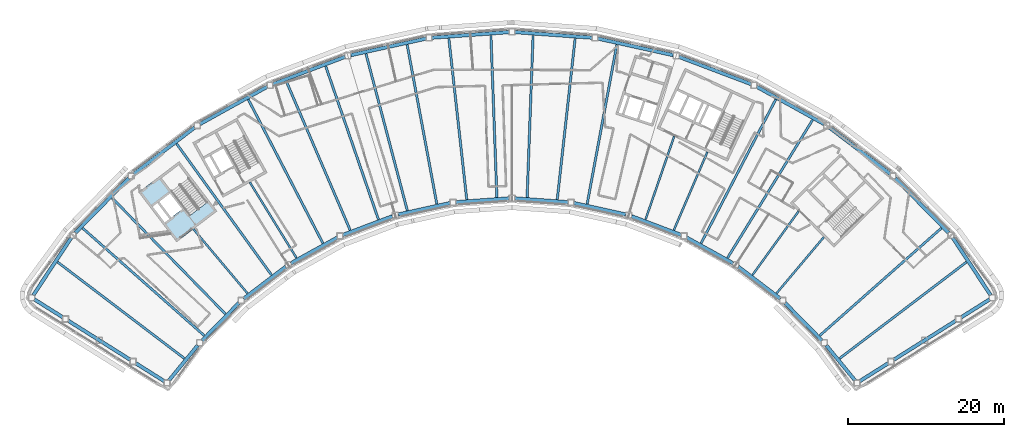
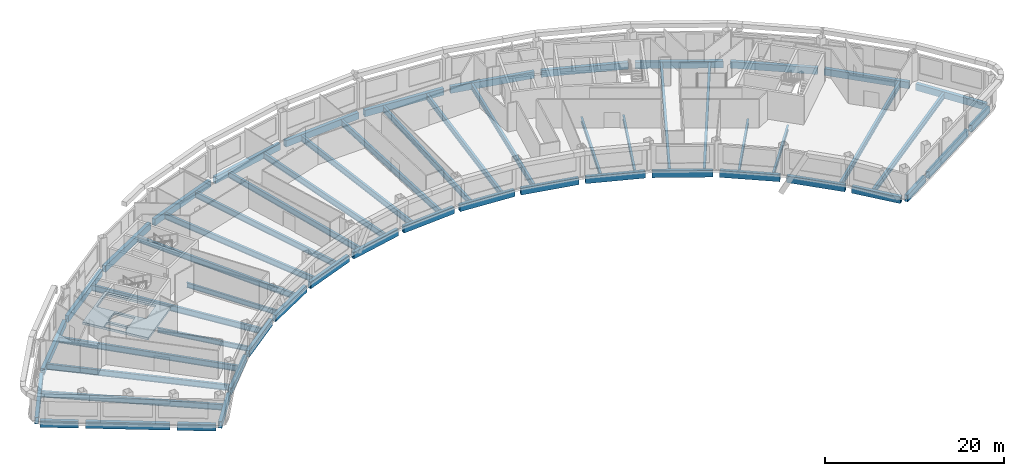
# One storey, part 3 of 13: 58 beams, 1 slab.
"""IFC4 building model written with IfcOpenShell, lengths in metres."""

from ifc_helpers import new_model, si_unit, direction, frame, origin, origin_2d, place, context, subcontext, project, spatial, polyline, hollow_rectangle, i_section, outline, extrude, material, layer, layer_set, material_profile, profile_set, type_object, element, save


model = new_model("IFC4")

# Units and contexts
model_context = context("Model", 3, precision=1e-05, world=origin(), true_north=direction((0.0, 1.0)))
body_context = subcontext(model_context, "Body", "Model", "MODEL_VIEW")
ifc_project = project(units=[si_unit("LENGTHUNIT", "METRE"), si_unit("AREAUNIT", "SQUARE_METRE"), si_unit("VOLUMEUNIT", "CUBIC_METRE"), si_unit("PLANEANGLEUNIT", "RADIAN"), si_unit("MASSUNIT", "GRAM", prefix="KILO")], contexts=[model_context])

# Site, building, storey
site_placement = place(None, origin())
site = spatial("IfcSite", under=ifc_project, at=site_placement, CompositionType="ELEMENT")
building_placement = place(site_placement, origin())
building = spatial("IfcBuilding", under=site, at=building_placement, Name="Tuul Gate Civic Tower", CompositionType="ELEMENT")
storey_placement = place(building_placement, frame((0.0, 0.0, 290.0)))
storey = spatial("IfcBuildingStorey", under=building, at=storey_placement, Name="Level 65", CompositionType="ELEMENT", Elevation=290.0)

# Beams
ifc_material_1 = material(Name="Steel S355", Category="steel")
ifc_material_profile_1 = material_profile(ifc_material_1, i_section(OverallWidth=0.25, OverallDepth=0.64990234375, WebThickness=0.011962890625, FlangeThickness=0.02001953125, at=origin_2d()), Name="PG650x250x12x20")
ifc_profile_set_1 = profile_set([ifc_material_profile_1], Name="Steel S355")
beam_type_1 = type_object("IfcBeamType", Name="STR-FLOOR BEAM-PG650x250x12x20", PredefinedType="BEAM", material=ifc_profile_set_1)
beam_1_placement = place(storey_placement, frame((40.746337890625, -24.341064453125, -0.625), z_axis=(0.644127784209, 0.764917902529, 0.0), x_axis=(-0.764917902529, 0.644127784209, 0.0)))
element("IfcBeam", 1, at=beam_1_placement, inside=storey, type_object=beam_type_1, Name="Floor beam", PredefinedType="BEAM", context=body_context, shape_type="SweptSolid", body=[
    extrude(i_section(OverallWidth=0.25, OverallDepth=0.64990234375, WebThickness=0.011962890625, FlangeThickness=0.02001953125, at=origin_2d()), origin(), (0.0, 0.0, 1.0), 9.443115234375),
])
beam_2_placement = place(storey_placement, frame((37.658203125, -21.989501953125, -0.625), z_axis=(0.586069159859, 0.810261031929, 0.0), x_axis=(-0.810261031929, 0.586069159859, 0.0)))
element("IfcBeam", 2, at=beam_2_placement, inside=storey, type_object=beam_type_1, Name="Floor beam", PredefinedType="BEAM", context=body_context, shape_type="SweptSolid", body=[
    extrude(i_section(OverallWidth=0.25, OverallDepth=0.64990234375, WebThickness=0.011962890625, FlangeThickness=0.02001953125, at=origin_2d()), origin(), (0.0, 0.0, 1.0), 10.103515625),
])
beam_3_placement = place(storey_placement, frame((27.564697265625, -16.229248046875, -0.625), z_axis=(0.394202182467, 0.919023742532, 0.0), x_axis=(-0.919023742532, 0.394202182467, 0.0)))
element("IfcBeam", 3, at=beam_3_placement, inside=storey, type_object=beam_type_1, Name="Floor beam", PredefinedType="BEAM", context=body_context, shape_type="SweptSolid", body=[
    extrude(i_section(OverallWidth=0.25, OverallDepth=0.64990234375, WebThickness=0.011962890625, FlangeThickness=0.02001953125, at=origin_2d()), origin(), (0.0, 0.0, 1.0), 10.93603515625),
])
beam_4_placement = place(storey_placement, frame((23.934326171875, -14.856689453125, -0.625), z_axis=(0.325475834629, 0.945550358824, 0.0), x_axis=(-0.945550358824, 0.325475834629, 0.0)))
element("IfcBeam", 4, at=beam_4_placement, inside=storey, type_object=beam_type_1, Name="Floor beam", PredefinedType="BEAM", context=body_context, shape_type="SweptSolid", body=[
    extrude(i_section(OverallWidth=0.25, OverallDepth=0.64990234375, WebThickness=0.011962890625, FlangeThickness=0.02001953125, at=origin_2d()), origin(), (0.0, 0.0, 1.0), 11.282958984375),
])
beam_5_placement = place(storey_placement, frame((-20.8779296875, -19.798828125, -0.625), z_axis=(-0.524859776805, 0.851188706864, 0.0), x_axis=(-0.851188706864, -0.524859776805, 0.0)))
element("IfcBeam", 5, at=beam_5_placement, inside=storey, type_object=beam_type_1, Name="Floor beam", PredefinedType="BEAM", context=body_context, shape_type="SweptSolid", body=[
    extrude(i_section(OverallWidth=0.25, OverallDepth=0.64990234375, WebThickness=0.011962890625, FlangeThickness=0.02001953125, at=origin_2d()), origin(), (0.0, 0.0, 1.0), 11.414306640625),
])
beam_6_placement = place(storey_placement, frame((-27.170166015625, -24.341064453125, -0.625), z_axis=(-0.644139926709, 0.764907677318, 0.0), x_axis=(-0.764907677318, -0.644139926709, 0.0)))
element("IfcBeam", 6, at=beam_6_placement, inside=storey, type_object=beam_type_1, Name="Floor beam", PredefinedType="BEAM", context=body_context, shape_type="SweptSolid", body=[
    extrude(i_section(OverallWidth=0.25, OverallDepth=0.64990234375, WebThickness=0.011962890625, FlangeThickness=0.02001953125, at=origin_2d()), origin(), (0.0, 0.0, 1.0), 10.7890625),
])
ifc_material_2 = material(Name="Steel S355", Category="steel")
ifc_material_profile_2 = material_profile(ifc_material_2, i_section(OverallWidth=0.300048828125, OverallDepth=0.800048828125, WebThickness=0.013916015625, FlangeThickness=0.02490234375, at=origin_2d()), Name="PG800x300x14x25")
ifc_profile_set_2 = profile_set([ifc_material_profile_2], Name="Steel S355")
beam_type_2 = type_object("IfcBeamType", Name="STR-FLOOR BEAM-PG800x300x14x25", PredefinedType="BEAM", material=ifc_profile_set_2)
beam_7_placement = place(storey_placement, frame((48.8427734375, -32.703857421875, -0.699951171875), z_axis=(0.796156676215, 0.60509052787, 0.0), x_axis=(-0.60509052787, 0.796156676215, 0.0)))
element("IfcBeam", 7, at=beam_7_placement, inside=storey, type_object=beam_type_2, Name="Floor beam", PredefinedType="BEAM", context=body_context, shape_type="SweptSolid", body=[
    extrude(i_section(OverallWidth=0.300048828125, OverallDepth=0.800048828125, WebThickness=0.013916015625, FlangeThickness=0.02490234375, at=origin_2d()), origin(), (0.0, 0.0, 1.0), 20.46240234375),
])
beam_8_placement = place(storey_placement, frame((46.3037109375, -29.759033203125, -0.699951171875), z_axis=(0.749453243269, 0.662057275584, 0.0), x_axis=(-0.662057275584, 0.749453243269, 0.0)))
element("IfcBeam", 8, at=beam_8_placement, inside=storey, type_object=beam_type_2, Name="Floor beam", PredefinedType="BEAM", context=body_context, shape_type="SweptSolid", body=[
    extrude(i_section(OverallWidth=0.300048828125, OverallDepth=0.800048828125, WebThickness=0.013916015625, FlangeThickness=0.02490234375, at=origin_2d()), origin(), (0.0, 0.0, 1.0), 20.828369140625),
])
beam_9_placement = place(storey_placement, frame((34.45458984375, -19.79833984375, -0.699951171875), z_axis=(0.524850193008, 0.851194616348, 0.0), x_axis=(-0.851194616348, 0.524850193008, 0.0)))
element("IfcBeam", 9, at=beam_9_placement, inside=storey, type_object=beam_type_2, Name="Floor beam", PredefinedType="BEAM", context=body_context, shape_type="SweptSolid", body=[
    extrude(i_section(OverallWidth=0.300048828125, OverallDepth=0.800048828125, WebThickness=0.013916015625, FlangeThickness=0.02490234375, at=origin_2d()), origin(), (0.0, 0.0, 1.0), 20.822021484375),
])
beam_10_placement = place(storey_placement, frame((31.0595703125, -17.9169921875, -0.699951171875), z_axis=(0.460777059353, 0.887515916237, 0.0), x_axis=(-0.887515916237, 0.460777059353, 0.0)))
element("IfcBeam", 10, at=beam_10_placement, inside=storey, type_object=beam_type_2, Name="Floor beam", PredefinedType="BEAM", context=body_context, shape_type="SweptSolid", body=[
    extrude(i_section(OverallWidth=0.300048828125, OverallDepth=0.800048828125, WebThickness=0.013916015625, FlangeThickness=0.02490234375, at=origin_2d()), origin(), (0.0, 0.0, 1.0), 20.8076171875),
])
beam_11_placement = place(storey_placement, frame((16.4365234375, -12.874755859375, -0.699951171875), z_axis=(0.183145230157, 0.983085868412, 0.0), x_axis=(-0.983085868412, 0.183145230157, 0.0)))
element("IfcBeam", 11, at=beam_11_placement, inside=storey, type_object=beam_type_2, Name="Floor beam", PredefinedType="BEAM", context=body_context, shape_type="SweptSolid", body=[
    extrude(i_section(OverallWidth=0.300048828125, OverallDepth=0.800048828125, WebThickness=0.013916015625, FlangeThickness=0.02490234375, at=origin_2d()), origin(), (0.0, 0.0, 1.0), 20.8115234375),
])
beam_12_placement = place(storey_placement, frame((12.599365234375, -12.294677734375, -0.699951171875), z_axis=(0.110286058964, 0.993899886909, 0.0), x_axis=(-0.993899886909, 0.110286058964, 0.0)))
element("IfcBeam", 12, at=beam_12_placement, inside=storey, type_object=beam_type_2, Name="Floor beam", PredefinedType="BEAM", context=body_context, shape_type="SweptSolid", body=[
    extrude(i_section(OverallWidth=0.300048828125, OverallDepth=0.800048828125, WebThickness=0.013916015625, FlangeThickness=0.02490234375, at=origin_2d()), origin(), (0.0, 0.0, 1.0), 20.8154296875),
])
beam_13_placement = place(storey_placement, frame((8.728515625, -12.01416015625, -0.699951171875), z_axis=(0.036832047042, 0.999321469954, 0.0), x_axis=(-0.999321469954, 0.036832047042, 0.0)))
element("IfcBeam", 13, at=beam_13_placement, inside=storey, type_object=beam_type_2, Name="Floor beam", PredefinedType="BEAM", context=body_context, shape_type="SweptSolid", body=[
    extrude(i_section(OverallWidth=0.300048828125, OverallDepth=0.800048828125, WebThickness=0.013916015625, FlangeThickness=0.02490234375, at=origin_2d()), origin(), (0.0, 0.0, 1.0), 20.8134765625),
])
beam_14_placement = place(storey_placement, frame((4.84765625, -12.013916015625, -0.699951171875), z_axis=(-0.036820764609, 0.999321885727, 0.0), x_axis=(-0.999321885727, -0.036820764609, 0.0)))
element("IfcBeam", 14, at=beam_14_placement, inside=storey, type_object=beam_type_2, Name="Floor beam", PredefinedType="BEAM", context=body_context, shape_type="SweptSolid", body=[
    extrude(i_section(OverallWidth=0.300048828125, OverallDepth=0.800048828125, WebThickness=0.013916015625, FlangeThickness=0.02490234375, at=origin_2d()), origin(), (0.0, 0.0, 1.0), 20.813232421875),
])
beam_15_placement = place(storey_placement, frame((0.976806640625, -12.294677734375, -0.699951171875), z_axis=(-0.110287344613, 0.993899744249, 0.0), x_axis=(-0.993899744249, -0.110287344613, 0.0)))
element("IfcBeam", 15, at=beam_15_placement, inside=storey, type_object=beam_type_2, Name="Floor beam", PredefinedType="BEAM", context=body_context, shape_type="SweptSolid", body=[
    extrude(i_section(OverallWidth=0.300048828125, OverallDepth=0.800048828125, WebThickness=0.013916015625, FlangeThickness=0.02490234375, at=origin_2d()), origin(), (0.0, 0.0, 1.0), 20.815185546875),
])
beam_16_placement = place(storey_placement, frame((-2.8603515625, -12.87451171875, -0.699951171875), z_axis=(-0.183149454547, 0.983085081414, 0.0), x_axis=(-0.983085081414, -0.183149454547, 0.0)))
element("IfcBeam", 16, at=beam_16_placement, inside=storey, type_object=beam_type_2, Name="Floor beam", PredefinedType="BEAM", context=body_context, shape_type="SweptSolid", body=[
    extrude(i_section(OverallWidth=0.300048828125, OverallDepth=0.800048828125, WebThickness=0.013916015625, FlangeThickness=0.02490234375, at=origin_2d()), origin(), (0.0, 0.0, 1.0), 20.81103515625),
])
beam_17_placement = place(storey_placement, frame((-6.650390625, -13.7099609375, -0.699951171875), z_axis=(-0.255007612054, 0.966939045542, 0.0), x_axis=(-0.966939045542, -0.255007612054, 0.0)))
element("IfcBeam", 17, at=beam_17_placement, inside=storey, type_object=beam_type_2, Name="Floor beam", PredefinedType="BEAM", context=body_context, shape_type="SweptSolid", body=[
    extrude(i_section(OverallWidth=0.300048828125, OverallDepth=0.800048828125, WebThickness=0.013916015625, FlangeThickness=0.02490234375, at=origin_2d()), origin(), (0.0, 0.0, 1.0), 20.8173828125),
])
beam_18_placement = place(storey_placement, frame((-10.358154296875, -14.856689453125, -0.699951171875), z_axis=(-0.325486974479, 0.945546524209, 0.0), x_axis=(-0.945546524209, -0.325486974479, 0.0)))
element("IfcBeam", 18, at=beam_18_placement, inside=storey, type_object=beam_type_2, Name="Floor beam", PredefinedType="BEAM", context=body_context, shape_type="SweptSolid", body=[
    extrude(i_section(OverallWidth=0.300048828125, OverallDepth=0.800048828125, WebThickness=0.013916015625, FlangeThickness=0.02490234375, at=origin_2d()), origin(), (0.0, 0.0, 1.0), 20.809326171875),
])
beam_19_placement = place(storey_placement, frame((-13.98828125, -16.2294921875, -0.699951171875), z_axis=(-0.39420232802, 0.9190236801, 0.0), x_axis=(-0.9190236801, -0.39420232802, 0.0)))
element("IfcBeam", 19, at=beam_19_placement, inside=storey, type_object=beam_type_2, Name="Floor beam", PredefinedType="BEAM", context=body_context, shape_type="SweptSolid", body=[
    extrude(i_section(OverallWidth=0.300048828125, OverallDepth=0.800048828125, WebThickness=0.013916015625, FlangeThickness=0.02490234375, at=origin_2d()), origin(), (0.0, 0.0, 1.0), 20.820068359375),
])
beam_20_placement = place(storey_placement, frame((-17.483154296875, -17.917236328125, -0.699951171875), z_axis=(-0.460781503105, 0.887513609133, 0.0), x_axis=(-0.887513609133, -0.460781503105, 0.0)))
element("IfcBeam", 20, at=beam_20_placement, inside=storey, type_object=beam_type_2, Name="Floor beam", PredefinedType="BEAM", context=body_context, shape_type="SweptSolid", body=[
    extrude(i_section(OverallWidth=0.300048828125, OverallDepth=0.800048828125, WebThickness=0.013916015625, FlangeThickness=0.02490234375, at=origin_2d()), origin(), (0.0, 0.0, 1.0), 20.807861328125),
])
beam_21_placement = place(storey_placement, frame((-24.081787109375, -21.98974609375, -0.699951171875), z_axis=(-0.586080778494, 0.810252627938, 0.0), x_axis=(-0.810252627938, -0.586080778494, 0.0)))
element("IfcBeam", 21, at=beam_21_placement, inside=storey, type_object=beam_type_2, Name="Floor beam", PredefinedType="BEAM", context=body_context, shape_type="SweptSolid", body=[
    extrude(i_section(OverallWidth=0.300048828125, OverallDepth=0.800048828125, WebThickness=0.013916015625, FlangeThickness=0.02490234375, at=origin_2d()), origin(), (0.0, 0.0, 1.0), 20.8056640625),
])
beam_22_placement = place(storey_placement, frame((-30.010498046875, -26.986572265625, -0.699951171875), z_axis=(-0.698690220921, 0.71542433226, 0.0), x_axis=(-0.71542433226, -0.698690220921, 0.0)))
element("IfcBeam", 22, at=beam_22_placement, inside=storey, type_object=beam_type_2, Name="Floor beam", PredefinedType="BEAM", context=body_context, shape_type="SweptSolid", body=[
    extrude(i_section(OverallWidth=0.300048828125, OverallDepth=0.800048828125, WebThickness=0.013916015625, FlangeThickness=0.02490234375, at=origin_2d()), origin(), (0.0, 0.0, 1.0), 20.804443359375),
])
beam_23_placement = place(storey_placement, frame((-32.7275390625, -29.759033203125, -0.699951171875), z_axis=(-0.749453243269, 0.662057275584, 0.0), x_axis=(-0.662057275584, -0.749453243269, 0.0)))
element("IfcBeam", 23, at=beam_23_placement, inside=storey, type_object=beam_type_2, Name="Floor beam", PredefinedType="BEAM", context=body_context, shape_type="SweptSolid", body=[
    extrude(i_section(OverallWidth=0.300048828125, OverallDepth=0.800048828125, WebThickness=0.013916015625, FlangeThickness=0.02490234375, at=origin_2d()), origin(), (0.0, 0.0, 1.0), 20.828369140625),
])
beam_24_placement = place(storey_placement, frame((-35.266845703125, -32.703857421875, -0.699951171875), z_axis=(-0.796146559843, 0.605103838403, 0.0), x_axis=(-0.605103838403, -0.796146559843, 0.0)))
element("IfcBeam", 24, at=beam_24_placement, inside=storey, type_object=beam_type_2, Name="Floor beam", PredefinedType="BEAM", context=body_context, shape_type="SweptSolid", body=[
    extrude(i_section(OverallWidth=0.300048828125, OverallDepth=0.800048828125, WebThickness=0.013916015625, FlangeThickness=0.02490234375, at=origin_2d()), origin(), (0.0, 0.0, 1.0), 20.46240234375),
])
ifc_material_3 = material(Name="Steel S355", Category="steel")
ifc_material_profile_3 = material_profile(ifc_material_3, hollow_rectangle(XDim=0.449951171875, YDim=0.89990234375, WallThickness=0.02490234375, at=origin_2d()), Name="BOX900x450x25")
ifc_profile_set_3 = profile_set([ifc_material_profile_3], Name="Steel S355")
beam_type_3 = type_object("IfcBeamType", Name="STR-SPANDREL BEAM-BOX900x450x25", PredefinedType="BEAM", material=ifc_profile_set_3)
beam_25_placement = place(storey_placement, frame((68.23828125, -24.5634765625, -0.75), z_axis=(-0.551580803008, 0.834121464628, 0.0), x_axis=(-0.834121464628, -0.551580803008, 0.0)))
element("IfcBeam", 25, at=beam_25_placement, inside=storey, type_object=beam_type_3, Name="Spandrel beam", PredefinedType="BEAM", context=body_context, shape_type="SweptSolid", body=[
    extrude(hollow_rectangle(XDim=0.449951171875, YDim=0.89990234375, WallThickness=0.02490234375, at=origin_2d()), origin(), (0.0, 0.0, 1.0), 8.806884765625),
])
for number, where, z_axis, x_axis, name in (
    (26, (62.8798828125, -16.598388671875, -0.75), (-0.699989605726, 0.714153031132, 0.0), (-0.714153031132, -0.699989605726, 0.0), "Spandrel beam"),
    (27, (55.36767578125, -9.0166015625, -0.75), (-0.795624601098, 0.605789975261, 0.0), (-0.605789975261, -0.795624601098, 0.0), "Spandrel beam"),
):
    element("IfcBeam", number, at=place(storey_placement, frame(where, z_axis=z_axis, x_axis=x_axis)), inside=storey, type_object=beam_type_3, Name=name, PredefinedType="BEAM", context=body_context, shape_type="SweptSolid", body=[
        extrude(hollow_rectangle(XDim=0.449951171875, YDim=0.89990234375, WallThickness=0.02490234375, at=origin_2d()), origin(), (0.0, 0.0, 1.0), 9.876953125),
    ])
beam_26_placement = place(storey_placement, frame((46.841064453125, -2.59716796875, -0.75), z_axis=(-0.874638363012, 0.484775962634, 0.0), x_axis=(-0.484775962634, -0.874638363012, 0.0)))
element("IfcBeam", 28, at=beam_26_placement, inside=storey, type_object=beam_type_3, Name="Spandrel beam", PredefinedType="BEAM", context=body_context, shape_type="SweptSolid", body=[
    extrude(hollow_rectangle(XDim=0.449951171875, YDim=0.89990234375, WallThickness=0.02490234375, at=origin_2d()), origin(), (0.0, 0.0, 1.0), 9.87744140625),
])
for number, where, z_axis, x_axis, name in (
    (29, (37.477783203125, 2.526611328125, -0.75), (-0.935345282805, 0.353736062531, 0.0), (-0.353736062531, -0.935345282805, 0.0), "Spandrel beam"),
    (30, (27.474365234375, 6.248046875, -0.75), (-0.976561301206, 0.21523945964, 0.0), (-0.21523945964, -0.976561301206, 0.0), "Spandrel beam"),
):
    element("IfcBeam", number, at=place(storey_placement, frame(where, z_axis=z_axis, x_axis=x_axis)), inside=storey, type_object=beam_type_3, Name=name, PredefinedType="BEAM", context=body_context, shape_type="SweptSolid", body=[
        extrude(hollow_rectangle(XDim=0.449951171875, YDim=0.89990234375, WallThickness=0.02490234375, at=origin_2d()), origin(), (0.0, 0.0, 1.0), 9.877197265625),
    ])
beam_27_placement = place(storey_placement, frame((17.0390625, 8.489013671875, -0.75), z_axis=(-0.997383375636, 0.072293858694, 0.0), x_axis=(-0.072293858694, -0.997383375636, 0.0)))
element("IfcBeam", 31, at=beam_27_placement, inside=storey, type_object=beam_type_3, Name="Spandrel beam", PredefinedType="BEAM", context=body_context, shape_type="SweptSolid", body=[
    extrude(hollow_rectangle(XDim=0.449951171875, YDim=0.89990234375, WallThickness=0.02490234375, at=origin_2d()), origin(), (0.0, 0.0, 1.0), 9.8779296875),
])
for number, where, z_axis, x_axis, name in (
    (32, (6.38916015625, 9.203125, -0.75), (-0.997382988068, -0.072299205474, 0.0), (0.072299205474, -0.997382988068, 0.0), "Spandrel beam"),
    (33, (-4.251708984375, 8.3740234375, -0.75), (-0.976561301206, -0.21523945964, 0.0), (0.21523945964, -0.976561301206, 0.0), "Spandrel beam"),
):
    element("IfcBeam", number, at=place(storey_placement, frame(where, z_axis=z_axis, x_axis=x_axis)), inside=storey, type_object=beam_type_3, Name=name, PredefinedType="BEAM", context=body_context, shape_type="SweptSolid", body=[
        extrude(hollow_rectangle(XDim=0.449951171875, YDim=0.89990234375, WallThickness=0.02490234375, at=origin_2d()), origin(), (0.0, 0.0, 1.0), 9.877197265625),
    ])
beam_28_placement = place(storey_placement, frame((-14.662109375, 6.0205078125, -0.75), z_axis=(-0.935352568022, -0.353716798434, 0.0), x_axis=(0.353716798434, -0.935352568022, 0.0)))
element("IfcBeam", 34, at=beam_28_placement, inside=storey, type_object=beam_type_3, Name="Spandrel beam", PredefinedType="BEAM", context=body_context, shape_type="SweptSolid", body=[
    extrude(hollow_rectangle(XDim=0.449951171875, YDim=0.89990234375, WallThickness=0.02490234375, at=origin_2d()), origin(), (0.0, 0.0, 1.0), 9.87841796875),
])
beam_29_placement = place(storey_placement, frame((-24.625732421875, 2.191162109375, -0.75), z_axis=(-0.874620935206, -0.484807404748, 0.0), x_axis=(0.484807404748, -0.874620935206, 0.0)))
element("IfcBeam", 35, at=beam_29_placement, inside=storey, type_object=beam_type_3, Name="Spandrel beam", PredefinedType="BEAM", context=body_context, shape_type="SweptSolid", body=[
    extrude(hollow_rectangle(XDim=0.449951171875, YDim=0.89990234375, WallThickness=0.02490234375, at=origin_2d()), origin(), (0.0, 0.0, 1.0), 9.876708984375),
])
beam_30_placement = place(storey_placement, frame((-33.932373046875, -3.033203125, -0.75), z_axis=(-0.795624601098, -0.605789975261, 0.0), x_axis=(0.605789975261, -0.795624601098, 0.0)))
element("IfcBeam", 36, at=beam_30_placement, inside=storey, type_object=beam_type_3, Name="Spandrel beam", PredefinedType="BEAM", context=body_context, shape_type="SweptSolid", body=[
    extrude(hollow_rectangle(XDim=0.449951171875, YDim=0.89990234375, WallThickness=0.02490234375, at=origin_2d()), origin(), (0.0, 0.0, 1.0), 9.876953125),
])
beam_31_placement = place(storey_placement, frame((-42.388916015625, -9.544677734375, -0.75), z_axis=(-0.700052630296, -0.714091251042, 0.0), x_axis=(0.714091251042, -0.700052630296, 0.0)))
element("IfcBeam", 37, at=beam_31_placement, inside=storey, type_object=beam_type_3, Name="Spandrel beam", PredefinedType="BEAM", context=body_context, shape_type="SweptSolid", body=[
    extrude(hollow_rectangle(XDim=0.449951171875, YDim=0.89990234375, WallThickness=0.02490234375, at=origin_2d()), origin(), (0.0, 0.0, 1.0), 9.8779296875),
])
beam_32_placement = place(storey_placement, frame((-49.8046875, -17.217529296875, -0.75), z_axis=(-0.551580803008, -0.834121464628, 0.0), x_axis=(0.834121464628, -0.551580803008, 0.0)))
element("IfcBeam", 38, at=beam_32_placement, inside=storey, type_object=beam_type_3, Name="Spandrel beam", PredefinedType="BEAM", context=body_context, shape_type="SweptSolid", body=[
    extrude(hollow_rectangle(XDim=0.449951171875, YDim=0.89990234375, WallThickness=0.02490234375, at=origin_2d()), origin(), (0.0, 0.0, 1.0), 8.806884765625),
])
beam_33_placement = place(storey_placement, frame((-54.54443359375, -25.110107421875, -0.75), z_axis=(0.846271424817, -0.532751983138, 0.0), x_axis=(0.532751983138, 0.846271424817, 0.0)))
element("IfcBeam", 39, at=beam_33_placement, inside=storey, type_object=beam_type_3, Name="Spandrel beam", PredefinedType="BEAM", context=body_context, shape_type="SweptSolid", body=[
    extrude(hollow_rectangle(XDim=0.449951171875, YDim=0.89990234375, WallThickness=0.02490234375, at=origin_2d()), origin(), (0.0, 0.0, 1.0), 4.33203125),
])
beam_34_placement = place(storey_placement, frame((-50.201416015625, -27.84423828125, -0.75), z_axis=(0.84620354352, -0.532859796695, 0.0), x_axis=(0.532859796695, 0.84620354352, 0.0)))
element("IfcBeam", 40, at=beam_34_placement, inside=storey, type_object=beam_type_3, Name="Spandrel beam", PredefinedType="BEAM", context=body_context, shape_type="SweptSolid", body=[
    extrude(hollow_rectangle(XDim=0.449951171875, YDim=0.89990234375, WallThickness=0.02490234375, at=origin_2d()), origin(), (0.0, 0.0, 1.0), 9.463623046875),
])
beam_35_placement = place(storey_placement, frame((-41.5166015625, -33.313232421875, -0.75), z_axis=(0.84613117079, -0.532974710298, 0.0), x_axis=(0.532974710298, 0.84613117079, 0.0)))
element("IfcBeam", 41, at=beam_35_placement, inside=storey, type_object=beam_type_3, Name="Spandrel beam", PredefinedType="BEAM", context=body_context, shape_type="SweptSolid", body=[
    extrude(hollow_rectangle(XDim=0.449951171875, YDim=0.89990234375, WallThickness=0.02490234375, at=origin_2d()), origin(), (0.0, 0.0, 1.0), 4.33154296875),
])
beam_36_placement = place(storey_placement, frame((-37.25927734375, -35.52587890625, -0.75), z_axis=(0.63438437654, 0.773017763574, 0.0), x_axis=(-0.773017763574, 0.63438437654, 0.0)))
element("IfcBeam", 42, at=beam_36_placement, inside=storey, type_object=beam_type_3, Name="Spandrel beam", PredefinedType="BEAM", context=body_context, shape_type="SweptSolid", body=[
    extrude(hollow_rectangle(XDim=0.449951171875, YDim=0.89990234375, WallThickness=0.02490234375, at=origin_2d()), origin(), (0.0, 0.0, 1.0), 5.85205078125),
])
beam_37_placement = place(storey_placement, frame((-33.012939453125, -30.4072265625, -0.75), z_axis=(0.69995351943, 0.71418839996, 0.0), x_axis=(-0.71418839996, 0.69995351943, 0.0)))
element("IfcBeam", 43, at=beam_37_placement, inside=storey, type_object=beam_type_3, Name="Spandrel beam", PredefinedType="BEAM", context=body_context, shape_type="SweptSolid", body=[
    extrude(hollow_rectangle(XDim=0.449951171875, YDim=0.89990234375, WallThickness=0.02490234375, at=origin_2d()), origin(), (0.0, 0.0, 1.0), 6.791748046875),
])
beam_38_placement = place(storey_placement, frame((-27.66064453125, -25.02880859375, -0.75), z_axis=(0.795648671747, 0.605758360361, 0.0), x_axis=(-0.605758360361, 0.795648671747, 0.0)))
element("IfcBeam", 44, at=beam_38_placement, inside=storey, type_object=beam_type_3, Name="Spandrel beam", PredefinedType="BEAM", context=body_context, shape_type="SweptSolid", body=[
    extrude(hollow_rectangle(XDim=0.449951171875, YDim=0.89990234375, WallThickness=0.02490234375, at=origin_2d()), origin(), (0.0, 0.0, 1.0), 6.792236328125),
])
beam_39_placement = place(storey_placement, frame((-21.588134765625, -20.47802734375, -0.75), z_axis=(0.87464856826, 0.484757549751, 0.0), x_axis=(-0.484757549751, 0.87464856826, 0.0)))
element("IfcBeam", 45, at=beam_39_placement, inside=storey, type_object=beam_type_3, Name="Spandrel beam", PredefinedType="BEAM", context=body_context, shape_type="SweptSolid", body=[
    extrude(hollow_rectangle(XDim=0.449951171875, YDim=0.89990234375, WallThickness=0.02490234375, at=origin_2d()), origin(), (0.0, 0.0, 1.0), 6.79150390625),
])
beam_40_placement = place(storey_placement, frame((-14.923828125, -16.8505859375, -0.75), z_axis=(0.935348956807, 0.35372634762, 0.0), x_axis=(-0.35372634762, 0.935348956807, 0.0)))
element("IfcBeam", 46, at=beam_40_placement, inside=storey, type_object=beam_type_3, Name="Spandrel beam", PredefinedType="BEAM", context=body_context, shape_type="SweptSolid", body=[
    extrude(hollow_rectangle(XDim=0.449951171875, YDim=0.89990234375, WallThickness=0.02490234375, at=origin_2d()), origin(), (0.0, 0.0, 1.0), 6.790771484375),
])
for number, where, z_axis, x_axis, name in (
    (47, (-7.807373046875, -14.220947265625, -0.75), (0.976561119915, 0.215240282172, 0.0), (-0.215240282172, 0.976561119915, 0.0), "Spandrel beam"),
    (48, (-0.385009765625, -12.64404296875, -0.75), (0.997381302407, 0.072322455777, 0.0), (-0.072322455777, 0.997381302407, 0.0), "Spandrel beam"),
):
    element("IfcBeam", number, at=place(storey_placement, frame(where, z_axis=z_axis, x_axis=x_axis)), inside=storey, type_object=beam_type_3, Name=name, PredefinedType="BEAM", context=body_context, shape_type="SweptSolid", body=[
        extrude(hollow_rectangle(XDim=0.449951171875, YDim=0.89990234375, WallThickness=0.02490234375, at=origin_2d()), origin(), (0.0, 0.0, 1.0), 6.7919921875),
    ])
for number, where, z_axis, x_axis, name in (
    (49, (7.18701171875, -12.15283203125, -0.75), (0.997381114382, -0.072325048733, 0.0), (0.072325048733, 0.997381114382, 0.0), "Spandrel beam"),
    (50, (14.750732421875, -12.759033203125, -0.75), (0.976559454542, -0.215247837958, 0.0), (0.215247837958, 0.976559454542, 0.0), "Spandrel beam"),
):
    element("IfcBeam", number, at=place(storey_placement, frame(where, z_axis=z_axis, x_axis=x_axis)), inside=storey, type_object=beam_type_3, Name=name, PredefinedType="BEAM", context=body_context, shape_type="SweptSolid", body=[
        extrude(hollow_rectangle(XDim=0.449951171875, YDim=0.89990234375, WallThickness=0.02490234375, at=origin_2d()), origin(), (0.0, 0.0, 1.0), 6.791748046875),
    ])
for number, where, z_axis, x_axis, name in (
    (51, (22.148193359375, -14.448486328125, -0.75), (0.935362449754, -0.353690666531, 0.0), (0.353690666531, 0.935362449754, 0.0), "Spandrel beam"),
    (52, (29.224853515625, -17.185791015625, -0.75), (0.87464856826, -0.484757549751, 0.0), (0.484757549751, 0.87464856826, 0.0), "Spandrel beam"),
    (53, (35.833251953125, -20.914306640625, -0.75), (0.795626424775, -0.605787580098, 0.0), (0.605787580098, 0.795626424775, 0.0), "Spandrel beam"),
):
    element("IfcBeam", number, at=place(storey_placement, frame(where, z_axis=z_axis, x_axis=x_axis)), inside=storey, type_object=beam_type_3, Name=name, PredefinedType="BEAM", context=body_context, shape_type="SweptSolid", body=[
        extrude(hollow_rectangle(XDim=0.449951171875, YDim=0.89990234375, WallThickness=0.02490234375, at=origin_2d()), origin(), (0.0, 0.0, 1.0), 6.79150390625),
    ])
beam_41_placement = place(storey_placement, frame((41.8349609375, -25.556640625, -0.75), z_axis=(0.699971853877, -0.714170430485, 0.0), x_axis=(0.714170430485, 0.699971853877, 0.0)))
element("IfcBeam", 54, at=beam_41_placement, inside=storey, type_object=beam_type_3, Name="Spandrel beam", PredefinedType="BEAM", context=body_context, shape_type="SweptSolid", body=[
    extrude(hollow_rectangle(XDim=0.449951171875, YDim=0.89990234375, WallThickness=0.02490234375, at=origin_2d()), origin(), (0.0, 0.0, 1.0), 6.7919921875),
])
beam_42_placement = place(storey_placement, frame((47.122802734375, -31.002197265625, -0.75), z_axis=(0.63438437654, -0.773017763574, 0.0), x_axis=(0.773017763574, 0.63438437654, 0.0)))
element("IfcBeam", 55, at=beam_42_placement, inside=storey, type_object=beam_type_3, Name="Spandrel beam", PredefinedType="BEAM", context=body_context, shape_type="SweptSolid", body=[
    extrude(hollow_rectangle(XDim=0.449951171875, YDim=0.89990234375, WallThickness=0.02490234375, at=origin_2d()), origin(), (0.0, 0.0, 1.0), 5.85205078125),
])
beam_43_placement = place(storey_placement, frame((51.427490234375, -35.621826171875, -0.75), z_axis=(0.846195195567, 0.532873053362, 0.0), x_axis=(-0.532873053362, 0.846195195567, 0.0)))
element("IfcBeam", 56, at=beam_43_placement, inside=storey, type_object=beam_type_3, Name="Spandrel beam", PredefinedType="BEAM", context=body_context, shape_type="SweptSolid", body=[
    extrude(hollow_rectangle(XDim=0.449951171875, YDim=0.89990234375, WallThickness=0.02490234375, at=origin_2d()), origin(), (0.0, 0.0, 1.0), 4.332275390625),
])
beam_44_placement = place(storey_placement, frame((55.7705078125, -32.886962890625, -0.75), z_axis=(0.84620354352, 0.532859796695, 0.0), x_axis=(-0.532859796695, 0.84620354352, 0.0)))
element("IfcBeam", 57, at=beam_44_placement, inside=storey, type_object=beam_type_3, Name="Spandrel beam", PredefinedType="BEAM", context=body_context, shape_type="SweptSolid", body=[
    extrude(hollow_rectangle(XDim=0.449951171875, YDim=0.89990234375, WallThickness=0.02490234375, at=origin_2d()), origin(), (0.0, 0.0, 1.0), 9.463623046875),
])
beam_45_placement = place(storey_placement, frame((64.45556640625, -27.41796875, -0.75), z_axis=(0.846207423362, 0.532853635295, 0.0), x_axis=(-0.532853635295, 0.846207423362, 0.0)))
element("IfcBeam", 58, at=beam_45_placement, inside=storey, type_object=beam_type_3, Name="Spandrel beam", PredefinedType="BEAM", context=body_context, shape_type="SweptSolid", body=[
    extrude(hollow_rectangle(XDim=0.449951171875, YDim=0.89990234375, WallThickness=0.02490234375, at=origin_2d()), origin(), (0.0, 0.0, 1.0), 4.3310546875),
])

# Slab
ifc_material_4 = material(Name="Concrete C40/50", Category="concrete")
ifc_layer = layer(ifc_material_4, 0.300048828125)
ifc_layer_set = layer_set([ifc_layer], Name="Concrete C40/50")
slab_type = type_object("IfcSlabType", Name="Core floor slab 300", PredefinedType="FLOOR", material=ifc_layer_set)
slab_placement = place(storey_placement, frame((0.0, 0.0, -0.300048828125)))
element("IfcSlab", 59, at=slab_placement, inside=storey, type_object=slab_type, Name="FLOOR SLAB", PredefinedType="FLOOR", context=body_context, shape_type="SweptSolid", body=[
    extrude(outline(polyline([(-31.10009765625, -13.7890625), (-35.946044921875, -7.423828125), (-41.11767578125, -11.361572265625), (-36.271484375, -17.726806640625), (-31.10009765625, -13.7890625)]), holes=[polyline([(-35.561767578125, -13.541259765625), (-37.1064453125, -11.512451171875), (-38.498779296875, -12.572509765625), (-36.9541015625, -14.6015625), (-35.561767578125, -13.541259765625)]), polyline([(-37.19287109375, -14.783203125), (-38.737548828125, -12.75439453125), (-39.45361328125, -13.299560546875), (-37.908935546875, -15.328369140625), (-37.19287109375, -14.783203125)]), polyline([(-32.33935546875, -12.65771484375), (-34.56591796875, -14.352783203125), (-38.229736328125, -9.54052734375), (-36.003173828125, -7.845458984375), (-32.33935546875, -12.65771484375)])]), origin(), (0.0, 0.0, 1.0), 0.300048828125),
])

save(model, "model.ifc")
